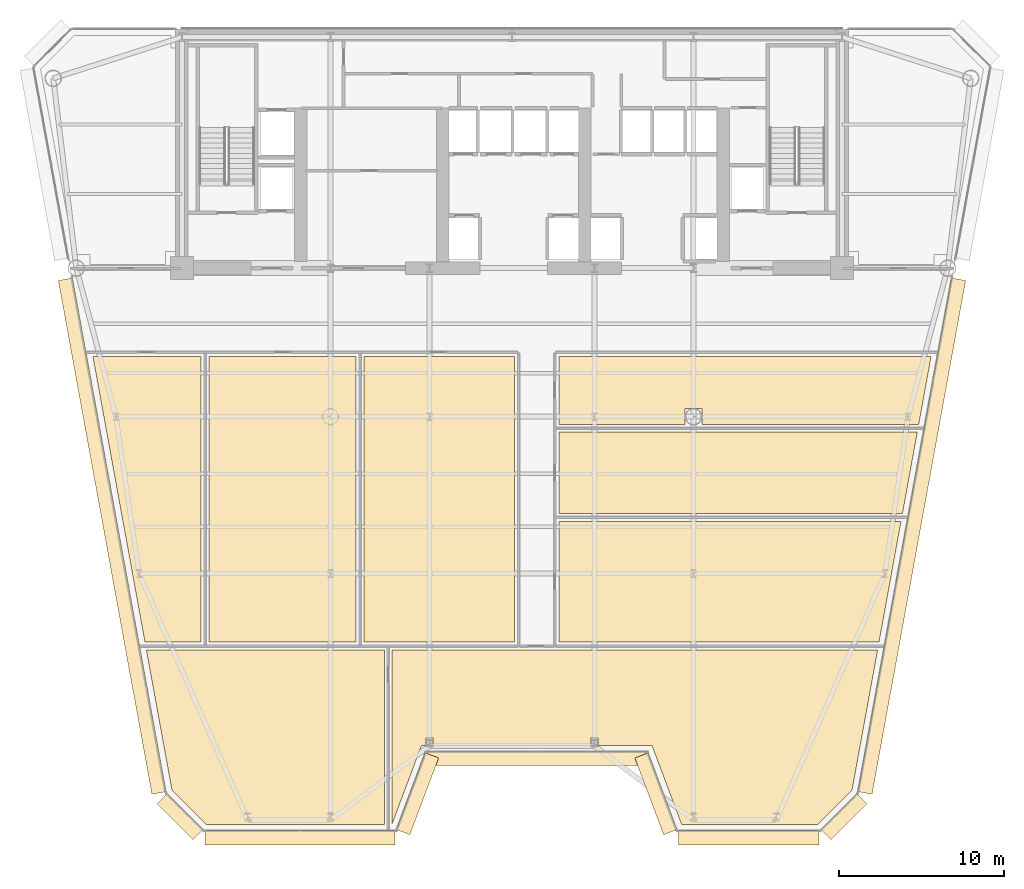
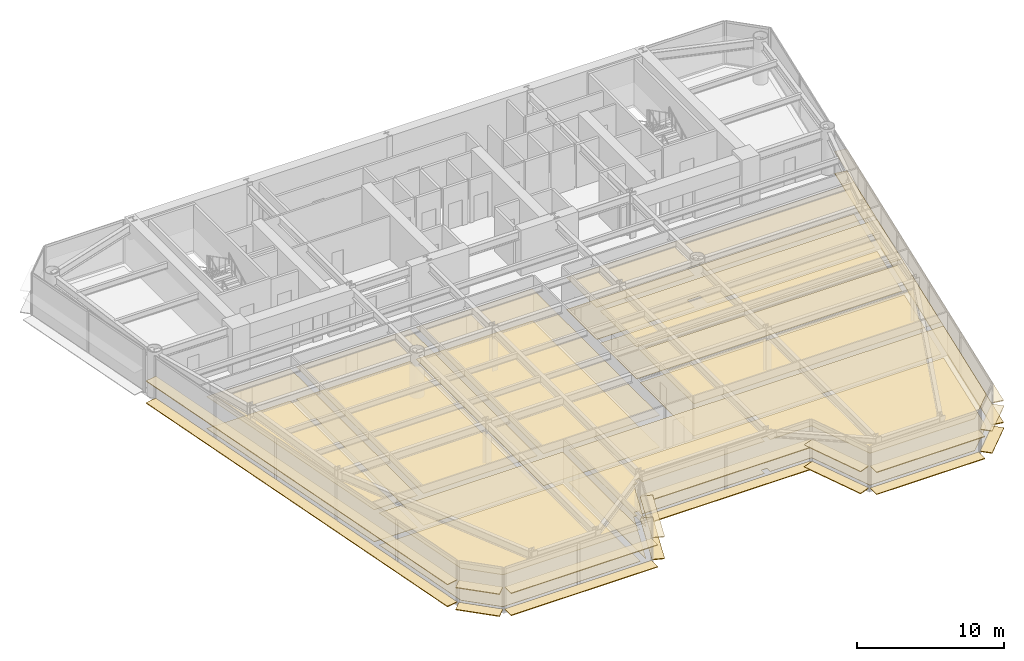
# One storey, part 11 of 14: 34 coverings.
"""IFC4 building model written with IfcOpenShell, lengths in metres."""

from ifc_helpers import new_model, si_unit, direction, frame, origin, origin_2d, place, context, subcontext, project, spatial, polyline, rectangle, outline, extrude, source, transform, mapped, material, layer, layer_set, type_object, element, save


model = new_model("IFC4")

# Units and contexts
model_context = context("Model", 3, precision=1e-05, world=origin(), true_north=direction((0.0, 1.0)))
body_context = subcontext(model_context, "Body", "Model", "MODEL_VIEW")
ifc_project = project(units=[si_unit("LENGTHUNIT", "METRE"), si_unit("AREAUNIT", "SQUARE_METRE"), si_unit("VOLUMEUNIT", "CUBIC_METRE"), si_unit("PLANEANGLEUNIT", "RADIAN"), si_unit("MASSUNIT", "GRAM", prefix="KILO")], contexts=[model_context])

# Site, building, storey
site_placement = place(None, origin())
site = spatial("IfcSite", under=ifc_project, at=site_placement, CompositionType="ELEMENT")
building_placement = place(site_placement, origin())
building = spatial("IfcBuilding", under=site, at=building_placement, Name="Vaeldorn Concourse Tower", CompositionType="ELEMENT")
storey_placement = place(building_placement, frame((0.0, 0.0, 107.199951171875)))
storey = spatial("IfcBuildingStorey", under=building, at=storey_placement, Name="L27", CompositionType="ELEMENT", Elevation=107.199951171875)

# Coverings
ifc_material_1 = material(Name="Acoustic Mineral Fibre Board", Category="gypsum")
ifc_layer_1 = layer(ifc_material_1, 0.0400390625)
ifc_layer_set_1 = layer_set([ifc_layer_1], Name="Acoustic Mineral Fibre Board")
covering_type_1 = type_object("IfcCoveringType", Name="COV-CEIL-ACOUSTIC", PredefinedType="CEILING", material=ifc_layer_set_1)
covering_1_placement = place(storey_placement, frame((0.0, 0.0, 2.650146484375)))
element("IfcCovering", 1, at=covering_1_placement, inside=storey, type_object=covering_type_1, Name="Suspended Acoustic Ceiling L27-5", PredefinedType="CEILING", context=body_context, shape_type="SweptSolid", body=[
    extrude(outline(polyline([(26.260009765625, 13.360107421875), (26.260009765625, 2.790771484375), (15.486083984375, 2.790771484375), (13.3916015625, 4.88525390625), (11.84716796875, 13.360107421875), (26.260009765625, 13.360107421875)])), origin(), (0.0, 0.0, 1.0), 0.039794921875),
])
covering_2_placement = place(storey_placement, frame((0.0, 0.0, 2.650146484375)))
element("IfcCovering", 2, at=covering_2_placement, inside=storey, type_object=covering_type_1, Name="Suspended Acoustic Ceiling L27-6", PredefinedType="CEILING", context=body_context, shape_type="SweptSolid", body=[
    extrude(outline(polyline([(26.739990234375, 13.360107421875), (56.15283203125, 13.360107421875), (54.6083984375, 4.88525390625), (52.513916015625, 2.790771484375), (44.277099609375, 2.790771484375), (42.477294921875, 7.5908203125), (39.2119140625, 7.5908203125), (39.2119140625, 8.02783203125), (38.7880859375, 8.02783203125), (38.7880859375, 7.5908203125), (29.2119140625, 7.5908203125), (29.2119140625, 8.02783203125), (28.7880859375, 8.02783203125), (28.7880859375, 7.5908203125), (28.522705078125, 7.5908203125), (26.739990234375, 2.8369140625), (26.739990234375, 13.360107421875)])), origin(), (0.0, 0.0, 1.0), 0.039794921875),
])
covering_3_placement = place(storey_placement, frame((0.0, 0.0, 2.650146484375)))
element("IfcCovering", 3, at=covering_3_placement, inside=storey, type_object=covering_type_1, Name="Suspended Acoustic Ceiling L27-7", PredefinedType="CEILING", context=body_context, shape_type="SweptSolid", body=[
    extrude(outline(polyline([(15.159912109375, 31.159912109375), (15.159912109375, 13.840087890625), (11.759765625, 13.840087890625), (8.603271484375, 31.159912109375), (15.159912109375, 31.159912109375)])), origin(), (0.0, 0.0, 1.0), 0.039794921875),
])
covering_4_placement = place(storey_placement, frame((0.0, 0.0, 2.650146484375)))
element("IfcCovering", 4, at=covering_4_placement, inside=storey, type_object=covering_type_1, Name="Suspended Acoustic Ceiling L27-8", PredefinedType="CEILING", context=body_context, shape_type="SweptSolid", body=[
    extrude(outline(polyline([(15.639892578125, 31.159912109375), (24.56005859375, 31.159912109375), (24.56005859375, 13.840087890625), (15.639892578125, 13.840087890625), (15.639892578125, 31.159912109375)])), origin(), (0.0, 0.0, 1.0), 0.039794921875),
])
covering_5_placement = place(storey_placement, frame((0.0, 0.0, 2.650146484375)))
element("IfcCovering", 5, at=covering_5_placement, inside=storey, type_object=covering_type_1, Name="Suspended Acoustic Ceiling L27-9", PredefinedType="CEILING", context=body_context, shape_type="SweptSolid", body=[
    extrude(outline(polyline([(25.0400390625, 31.159912109375), (34.159912109375, 31.159912109375), (34.159912109375, 13.840087890625), (25.0400390625, 13.840087890625), (25.0400390625, 31.159912109375)])), origin(), (0.0, 0.0, 1.0), 0.039794921875),
])
covering_6_placement = place(storey_placement, frame((0.0, 0.0, 2.650146484375)))
element("IfcCovering", 6, at=covering_6_placement, inside=storey, type_object=covering_type_1, Name="Suspended Acoustic Ceiling L27-10", PredefinedType="CEILING", context=body_context, shape_type="SweptSolid", body=[
    extrude(outline(polyline([(36.840087890625, 13.840087890625), (36.840087890625, 21.159912109375), (57.57421875, 21.159912109375), (56.240234375, 13.840087890625), (36.840087890625, 13.840087890625)])), origin(), (0.0, 0.0, 1.0), 0.039794921875),
])
covering_7_placement = place(storey_placement, frame((0.0, 0.0, 2.650146484375)))
element("IfcCovering", 7, at=covering_7_placement, inside=storey, type_object=covering_type_1, Name="Suspended Acoustic Ceiling L27-11", PredefinedType="CEILING", context=body_context, shape_type="SweptSolid", body=[
    extrude(outline(polyline([(36.840087890625, 21.639892578125), (36.840087890625, 26.56005859375), (58.55859375, 26.56005859375), (57.661865234375, 21.639892578125), (36.840087890625, 21.639892578125)])), origin(), (0.0, 0.0, 1.0), 0.039794921875),
])
covering_8_placement = place(storey_placement, frame((0.0, 0.0, 2.650146484375)))
element("IfcCovering", 8, at=covering_8_placement, inside=storey, type_object=covering_type_1, Name="Suspended Acoustic Ceiling L27-12", PredefinedType="CEILING", context=body_context, shape_type="SweptSolid", body=[
    extrude(outline(polyline([(36.840087890625, 31.159912109375), (59.396728515625, 31.159912109375), (58.64599609375, 27.0400390625), (45.508056640625, 27.0400390625), (45.508056640625, 28.008056640625), (44.491943359375, 28.008056640625), (44.491943359375, 27.0400390625), (36.840087890625, 27.0400390625), (36.840087890625, 31.159912109375)])), origin(), (0.0, 0.0, 1.0), 0.039794921875),
])
ifc_material_2 = material(Name="Honed Limestone Terrazzo Flooring", Category="masonry")
ifc_layer_2 = layer(ifc_material_2, 0.0400390625)
ifc_layer_set_2 = layer_set([ifc_layer_2], Name="Honed Limestone Terrazzo Flooring")
covering_type_2 = type_object("IfcCoveringType", Name="COV-FLOOR-STONE", PredefinedType="FLOORING", material=ifc_layer_set_2)
covering_9_placement = place(storey_placement, origin())
element("IfcCovering", 9, at=covering_9_placement, inside=storey, type_object=covering_type_2, Name="Floor Finish Covering L27-5", PredefinedType="FLOORING", context=body_context, shape_type="SweptSolid", body=[
    extrude(outline(polyline([(26.260009765625, 13.360107421875), (26.260009765625, 2.790771484375), (15.486083984375, 2.790771484375), (13.3916015625, 4.88525390625), (11.84716796875, 13.360107421875), (26.260009765625, 13.360107421875)])), origin(), (0.0, 0.0, 1.0), 0.030029296875),
])
covering_10_placement = place(storey_placement, origin())
element("IfcCovering", 10, at=covering_10_placement, inside=storey, type_object=covering_type_2, Name="Floor Finish Covering L27-6", PredefinedType="FLOORING", context=body_context, shape_type="SweptSolid", body=[
    extrude(outline(polyline([(26.739990234375, 13.360107421875), (56.15283203125, 13.360107421875), (54.6083984375, 4.88525390625), (52.513916015625, 2.790771484375), (44.277099609375, 2.790771484375), (42.477294921875, 7.5908203125), (39.2119140625, 7.5908203125), (39.2119140625, 8.02783203125), (38.7880859375, 8.02783203125), (38.7880859375, 7.5908203125), (29.2119140625, 7.5908203125), (29.2119140625, 8.02783203125), (28.7880859375, 8.02783203125), (28.7880859375, 7.5908203125), (28.522705078125, 7.5908203125), (26.739990234375, 2.8369140625), (26.739990234375, 13.360107421875)])), origin(), (0.0, 0.0, 1.0), 0.030029296875),
])
covering_11_placement = place(storey_placement, origin())
element("IfcCovering", 11, at=covering_11_placement, inside=storey, type_object=covering_type_2, Name="Floor Finish Covering L27-7", PredefinedType="FLOORING", context=body_context, shape_type="SweptSolid", body=[
    extrude(outline(polyline([(15.159912109375, 31.159912109375), (15.159912109375, 13.840087890625), (11.759765625, 13.840087890625), (8.603271484375, 31.159912109375), (15.159912109375, 31.159912109375)])), origin(), (0.0, 0.0, 1.0), 0.030029296875),
])
covering_12_placement = place(storey_placement, origin())
element("IfcCovering", 12, at=covering_12_placement, inside=storey, type_object=covering_type_2, Name="Floor Finish Covering L27-8", PredefinedType="FLOORING", context=body_context, shape_type="SweptSolid", body=[
    extrude(outline(polyline([(15.639892578125, 31.159912109375), (24.56005859375, 31.159912109375), (24.56005859375, 13.840087890625), (15.639892578125, 13.840087890625), (15.639892578125, 31.159912109375)])), origin(), (0.0, 0.0, 1.0), 0.030029296875),
])
covering_13_placement = place(storey_placement, origin())
element("IfcCovering", 13, at=covering_13_placement, inside=storey, type_object=covering_type_2, Name="Floor Finish Covering L27-9", PredefinedType="FLOORING", context=body_context, shape_type="SweptSolid", body=[
    extrude(outline(polyline([(25.0400390625, 31.159912109375), (34.159912109375, 31.159912109375), (34.159912109375, 13.840087890625), (25.0400390625, 13.840087890625), (25.0400390625, 31.159912109375)])), origin(), (0.0, 0.0, 1.0), 0.030029296875),
])
covering_14_placement = place(storey_placement, origin())
element("IfcCovering", 14, at=covering_14_placement, inside=storey, type_object=covering_type_2, Name="Floor Finish Covering L27-10", PredefinedType="FLOORING", context=body_context, shape_type="SweptSolid", body=[
    extrude(outline(polyline([(36.840087890625, 13.840087890625), (36.840087890625, 21.159912109375), (57.57421875, 21.159912109375), (56.240234375, 13.840087890625), (36.840087890625, 13.840087890625)])), origin(), (0.0, 0.0, 1.0), 0.030029296875),
])
covering_15_placement = place(storey_placement, origin())
element("IfcCovering", 15, at=covering_15_placement, inside=storey, type_object=covering_type_2, Name="Floor Finish Covering L27-11", PredefinedType="FLOORING", context=body_context, shape_type="SweptSolid", body=[
    extrude(outline(polyline([(36.840087890625, 21.639892578125), (36.840087890625, 26.56005859375), (58.55859375, 26.56005859375), (57.661865234375, 21.639892578125), (36.840087890625, 21.639892578125)])), origin(), (0.0, 0.0, 1.0), 0.030029296875),
])
covering_16_placement = place(storey_placement, origin())
element("IfcCovering", 16, at=covering_16_placement, inside=storey, type_object=covering_type_2, Name="Floor Finish Covering L27-12", PredefinedType="FLOORING", context=body_context, shape_type="SweptSolid", body=[
    extrude(outline(polyline([(36.840087890625, 31.159912109375), (59.396728515625, 31.159912109375), (58.64599609375, 27.0400390625), (45.508056640625, 27.0400390625), (45.508056640625, 28.008056640625), (44.491943359375, 28.008056640625), (44.491943359375, 27.0400390625), (36.840087890625, 27.0400390625), (36.840087890625, 31.159912109375)])), origin(), (0.0, 0.0, 1.0), 0.030029296875),
])
ifc_material_3 = material(Name="Anodised Bronze Aluminium", Category="aluminium")
ifc_layer_3 = layer(ifc_material_3, 0.06494140625)
ifc_layer_set_3 = layer_set([ifc_layer_3], Name="Anodised Bronze Aluminium")
covering_type_3 = type_object("IfcCoveringType", Name="SD-BRONZE-SUNSHADE", PredefinedType="USERDEFINED", material=ifc_layer_set_3)
shared_shape_1 = source(origin(), body_context, "Body", "SweptSolid", [
    extrude(rectangle(XDim=4.96630859375, YDim=0.8798828125, at=origin_2d()), origin(), (0.0, 0.0, 1.0), 0.06494140625),
])
for number, where, z_axis, x_axis, name in (
    (17, (28.2744140625, 4.650390625, 0.047607421875), (0.0, 0.0, 1.0), (0.351122702609, 0.936329454686, 0.0), "Horizontal Bronze Sunshade L27-E02.1.1"),
    (18, (28.2744140625, 4.650390625, 1.86767578125), (0.0, 0.0, 1.0), (0.351122702609, 0.936329454686, 0.0), "Horizontal Bronze Sunshade L27-E02.1.2"),
    (19, (42.7255859375, 4.650390625, 0.047607421875), (0.0, 0.0, 1.0), (0.351122702609, -0.936329454686, 0.0), "Horizontal Bronze Sunshade L27-E04.1.1"),
    (20, (42.7255859375, 4.650390625, 1.86767578125), (0.0, 0.0, 1.0), (0.351122702609, -0.936329454686, 0.0), "Horizontal Bronze Sunshade L27-E04.1.2"),
):
    element("IfcCovering", number, at=place(storey_placement, frame(where, z_axis=z_axis, x_axis=x_axis)), inside=storey, type_object=covering_type_3, Name=name, ObjectType="SUNSHADE", PredefinedType="USERDEFINED", context=body_context, shape_type="MappedRepresentation", body=[
        mapped(shared_shape_1, transform((0.0, 0.0, 0.0), scale=1.0)),
    ])
shared_shape_2 = source(origin(), body_context, "Body", "SweptSolid", [
    extrude(rectangle(XDim=13.239990234375, YDim=0.8798828125, at=origin_2d()), origin(), (0.0, 0.0, 1.0), 0.06494140625),
])
for number, where, z_axis, x_axis, name in (
    (21, (35.5, 6.790771484375, 0.047607421875), (0.0, 0.0, 1.0), (1.0, 0.0, 0.0), "Horizontal Bronze Sunshade L27-E03.1.1"),
    (22, (35.5, 6.790771484375, 1.86767578125), (0.0, 0.0, 1.0), (1.0, 0.0, 0.0), "Horizontal Bronze Sunshade L27-E03.1.2"),
):
    element("IfcCovering", number, at=place(storey_placement, frame(where, z_axis=z_axis, x_axis=x_axis)), inside=storey, type_object=covering_type_3, Name=name, ObjectType="SUNSHADE", PredefinedType="USERDEFINED", context=body_context, shape_type="MappedRepresentation", body=[
        mapped(shared_shape_2, transform((0.0, 0.0, 0.0), scale=1.0)),
    ])
shared_shape_3 = source(origin(), body_context, "Body", "SweptSolid", [
    extrude(rectangle(XDim=3.0927734375, YDim=0.8798828125, at=origin_2d()), origin(), (0.0, 0.0, 1.0), 0.06494140625),
])
for number, where, z_axis, x_axis, name in (
    (23, (54.1123046875, 3.258056640625, 0.047607421875), (0.0, 0.0, 1.0), (0.707106781187, 0.707106781187, 0.0), "Horizontal Bronze Sunshade L27-E06.1.1"),
    (24, (54.1123046875, 3.258056640625, 1.86767578125), (0.0, 0.0, 1.0), (0.707106781187, 0.707106781187, 0.0), "Horizontal Bronze Sunshade L27-E06.1.2"),
    (25, (13.8876953125, 3.258056640625, 0.047607421875), (0.0, 0.0, 1.0), (0.707106781187, -0.707106781187, 0.0), "Horizontal Bronze Sunshade L27-E12.1.1"),
    (26, (13.8876953125, 3.258056640625, 1.86767578125), (0.0, 0.0, 1.0), (0.707106781187, -0.707106781187, 0.0), "Horizontal Bronze Sunshade L27-E12.1.2"),
):
    element("IfcCovering", number, at=place(storey_placement, frame(where, z_axis=z_axis, x_axis=x_axis)), inside=storey, type_object=covering_type_3, Name=name, ObjectType="SUNSHADE", PredefinedType="USERDEFINED", context=body_context, shape_type="MappedRepresentation", body=[
        mapped(shared_shape_3, transform((0.0, 0.0, 0.0), scale=1.0)),
    ])
shared_shape_4 = source(origin(), body_context, "Body", "SweptSolid", [
    extrude(rectangle(XDim=11.51953125, YDim=0.8798828125, at=origin_2d()), origin(), (0.0, 0.0, 1.0), 0.06494140625),
])
for number, where, z_axis, x_axis, name in (
    (27, (21.16015625, 1.99072265625, 0.047607421875), (0.0, 0.0, 1.0), (1.0, 0.0, 0.0), "Horizontal Bronze Sunshade L27-E01.1.1"),
    (28, (21.16015625, 1.99072265625, 1.86767578125), (0.0, 0.0, 1.0), (1.0, 0.0, 0.0), "Horizontal Bronze Sunshade L27-E01.1.2"),
):
    element("IfcCovering", number, at=place(storey_placement, frame(where, z_axis=z_axis, x_axis=x_axis)), inside=storey, type_object=covering_type_3, Name=name, ObjectType="SUNSHADE", PredefinedType="USERDEFINED", context=body_context, shape_type="MappedRepresentation", body=[
        mapped(shared_shape_4, transform((0.0, 0.0, 0.0), scale=1.0)),
    ])
shared_shape_5 = source(origin(), body_context, "Body", "SweptSolid", [
    extrude(rectangle(XDim=8.51953125, YDim=0.8798828125, at=origin_2d()), origin(), (0.0, 0.0, 1.0), 0.06494140625),
])
for number, where, z_axis, x_axis, name in (
    (29, (48.339599609375, 1.99072265625, 0.047607421875), (0.0, 0.0, 1.0), (1.0, 0.0, 0.0), "Horizontal Bronze Sunshade L27-E05.1.1"),
    (30, (48.339599609375, 1.99072265625, 1.86767578125), (0.0, 0.0, 1.0), (1.0, 0.0, 0.0), "Horizontal Bronze Sunshade L27-E05.1.2"),
):
    element("IfcCovering", number, at=place(storey_placement, frame(where, z_axis=z_axis, x_axis=x_axis)), inside=storey, type_object=covering_type_3, Name=name, ObjectType="SUNSHADE", PredefinedType="USERDEFINED", context=body_context, shape_type="MappedRepresentation", body=[
        mapped(shared_shape_5, transform((0.0, 0.0, 0.0), scale=1.0)),
    ])
shared_shape_6 = source(origin(), body_context, "Body", "SweptSolid", [
    extrude(rectangle(XDim=31.646484375, YDim=0.8798828125, at=origin_2d()), origin(), (0.0, 0.0, 1.0), 0.06494140625),
])
for number, where, z_axis, x_axis, name in (
    (31, (58.224365234375, 20.2646484375, 0.047607421875), (0.0, 0.0, 1.0), (0.17930018116, 0.983794411976, 0.0), "Horizontal Bronze Sunshade L27-E07.1.1"),
    (32, (58.224365234375, 20.2646484375, 1.86767578125), (0.0, 0.0, 1.0), (0.17930018116, 0.983794411976, 0.0), "Horizontal Bronze Sunshade L27-E07.1.2"),
    (33, (9.775634765625, 20.2646484375, 0.047607421875), (0.0, 0.0, 1.0), (0.17930018116, -0.983794411976, 0.0), "Horizontal Bronze Sunshade L27-E11.2.1"),
    (34, (9.775634765625, 20.2646484375, 1.86767578125), (0.0, 0.0, 1.0), (0.17930018116, -0.983794411976, 0.0), "Horizontal Bronze Sunshade L27-E11.2.2"),
):
    element("IfcCovering", number, at=place(storey_placement, frame(where, z_axis=z_axis, x_axis=x_axis)), inside=storey, type_object=covering_type_3, Name=name, ObjectType="SUNSHADE", PredefinedType="USERDEFINED", context=body_context, shape_type="MappedRepresentation", body=[
        mapped(shared_shape_6, transform((0.0, 0.0, 0.0), scale=1.0)),
    ])

save(model, "model.ifc")
